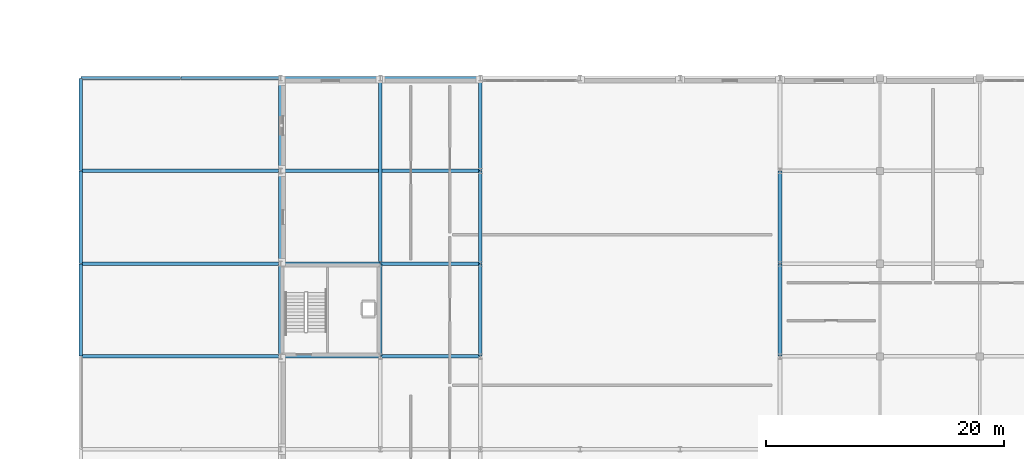
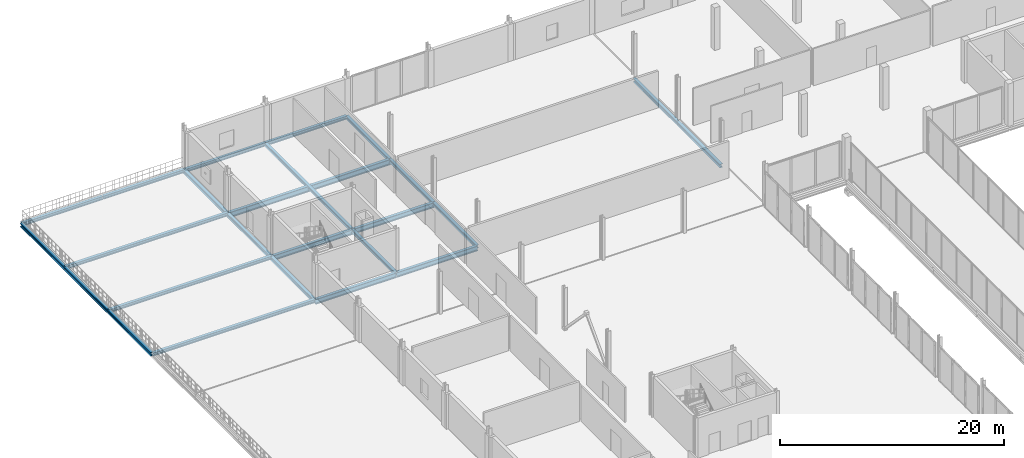
# One storey, part 37 of 98: 25 beams.
"""IFC4 building model written with IfcOpenShell, lengths in metres."""

import ifcopenshell
import ifcopenshell.guid

model = None  # the IFC model being written
_history = None  # IfcOwnerHistory: only IFC2X3 demands one
_inside = {}  # id of a spatial element -> (the spatial element, [elements in it])
_under = {}  # id of a project, library or spatial element -> (it, [spatial elements below it])
_declared = {}  # id of a project -> (the project, [libraries it declares])
_typed = {}  # id of a type object -> (the type object, [elements of that type])
_made_of = {}  # id of a material, layer set ... -> (it, [elements and type objects made of it])


def new_model(schema):
    """Start an empty IFC model of exactly this schema.

    Asked for "IFC4X3", IfcOpenShell would pick the latest addendum, in which some entities
    have other attributes; the version numbers below select the first issue.
    IFC2X3 requires an IfcOwnerHistory on every rooted entity: one is made here for all.
    """
    global model, _history
    if schema == "IFC4X3":
        model = ifcopenshell.file(schema_version=(4, 3, 0, 0))
    else:
        model = ifcopenshell.file(schema=schema)
    _inside.clear()
    _under.clear()
    _declared.clear()
    _typed.clear()
    _made_of.clear()
    _history = None
    if model.schema == "IFC2X3":
        org = make("IfcOrganization", Name="unknown")
        user = make(
            "IfcPersonAndOrganization",
            ThePerson=make("IfcPerson", FamilyName="unknown"),
            TheOrganization=org,
        )
        app = make(
            "IfcApplication",
            ApplicationDeveloper=org,
            Version="unknown",
            ApplicationFullName="unknown",
            ApplicationIdentifier="unknown",
        )
        _history = make(
            "IfcOwnerHistory",
            OwningUser=user,
            OwningApplication=app,
            ChangeAction="ADDED",
            CreationDate=0,
        )
    return model


def make(cls, **values):
    """One entity of the class cls with the attributes given. An attribute that is None is left unset."""
    return model.create_entity(
        cls, **{name: value for name, value in values.items() if value is not None}
    )


def rooted(cls, **values):
    """An entity with a GlobalId (a new one), such as an element, a storey or a relation."""
    return make(cls, GlobalId=ifcopenshell.guid.new(), OwnerHistory=_history, **values)


def si_unit(unit_type, name, prefix=None):
    """IfcSIUnit, for example si_unit("LENGTHUNIT", "METRE", prefix="MILLI")."""
    return make("IfcSIUnit", UnitType=unit_type, Prefix=prefix, Name=name)


def assignment(units):
    """IfcUnitAssignment: the units of a project."""
    return None if units is None else make("IfcUnitAssignment", Units=units)


def point(xyz):
    """IfcCartesianPoint."""
    return None if xyz is None else make("IfcCartesianPoint", Coordinates=xyz)


def direction(xyz):
    """IfcDirection."""
    return None if xyz is None else make("IfcDirection", DirectionRatios=xyz)


def frame(location, z_axis=None, x_axis=None):
    """IfcAxis2Placement3D, a coordinate frame: its origin and axes. An axis left out is left unset."""
    return make(
        "IfcAxis2Placement3D",
        Location=point(location),
        Axis=direction(z_axis),
        RefDirection=direction(x_axis),
    )


def frame_2d(location, x_axis=None):
    """IfcAxis2Placement2D, a coordinate frame in the plane: its origin and x axis."""
    return make(
        "IfcAxis2Placement2D", Location=point(location), RefDirection=direction(x_axis)
    )


def origin():
    """The frame at (0, 0, 0) with its axes left unset."""
    return frame((0.0, 0.0, 0.0))


def origin_2d():
    """The frame at (0, 0) in the plane with its x axis left unset."""
    return frame_2d((0.0, 0.0))


def place(relative_to, where):
    """IfcLocalPlacement: puts the frame where relative to a parent placement (None: the world)."""
    return make(
        "IfcLocalPlacement", PlacementRelTo=relative_to, RelativePlacement=where
    )


def context(
    kind, dimensions, precision=None, world=None, true_north=None, identifier=None
):
    """IfcGeometricRepresentationContext, for example the 3D "Model" context."""
    return make(
        "IfcGeometricRepresentationContext",
        ContextIdentifier=identifier,
        ContextType=kind,
        CoordinateSpaceDimension=dimensions,
        Precision=precision,
        WorldCoordinateSystem=world,
        TrueNorth=true_north,
    )


def subcontext(parent, identifier, kind, view, scale=None):
    """IfcGeometricRepresentationSubContext, for example "Body" below "Model"."""
    return make(
        "IfcGeometricRepresentationSubContext",
        ContextIdentifier=identifier,
        ContextType=kind,
        ParentContext=parent,
        TargetScale=scale,
        TargetView=view,
    )


def project(units=None, contexts=None):
    """IfcProject with its units and contexts."""
    return rooted(
        "IfcProject",
        Name="project",
        RepresentationContexts=contexts,
        UnitsInContext=assignment(units),
    )


def spatial(cls, under=None, at=None, **own):
    """A site, building, storey or space (cls), placed at a placement, below another one or the project."""
    s = rooted(cls, ObjectPlacement=at, **own)
    if under is not None:
        _under.setdefault(under.id(), (under, []))[1].append(s)
    return s


def profile(cls, at=None, kind="AREA", **sizes):
    """A parametric profile (cls). Its sizes go by their IFC names, for example OverallWidth=200.0."""
    return make(cls, ProfileType=kind, Position=at, **sizes)


def i_section(**sizes):
    """IfcIShapeProfileDef."""
    return profile("IfcIShapeProfileDef", **sizes)


def extrude(swept, where, along, depth):
    """IfcExtrudedAreaSolid: the profile swept, set in the frame where, extruded along a direction by depth."""
    return make(
        "IfcExtrudedAreaSolid",
        SweptArea=swept,
        Position=where,
        ExtrudedDirection=direction(along),
        Depth=depth,
    )


def shape(context_of_items, identifier, shape_type, items):
    """IfcShapeRepresentation: the items that make up one representation, for example the "Body"."""
    return make(
        "IfcShapeRepresentation",
        ContextOfItems=context_of_items,
        RepresentationIdentifier=identifier,
        RepresentationType=shape_type,
        Items=items,
    )


def material(Name=None, Category=None):
    """IfcMaterial."""
    return make("IfcMaterial", Name=Name, Category=Category)


def material_profile(
    of_material, cross_section, Name=None, Category=None, Priority=None
):
    """IfcMaterialProfile: a cross section and its material."""
    return make(
        "IfcMaterialProfile",
        Name=Name,
        Material=of_material,
        Profile=cross_section,
        Priority=Priority,
        Category=Category,
    )


def profile_set(profiles, Name=None, composite=None):
    """IfcMaterialProfileSet."""
    return make(
        "IfcMaterialProfileSet",
        Name=Name,
        MaterialProfiles=profiles,
        CompositeProfile=composite,
    )


def made_of(thing, what):
    """Note that an element or type object is made of a material, layer set ...; save() writes the relation."""
    if what is not None:
        _made_of.setdefault(what.id(), (what, []))[1].append(thing)
    return thing


def type_object(cls, material=None, **own):
    """A type object (cls), such as IfcWallType, which elements share."""
    return made_of(rooted(cls, **own), material)


def element(
    cls,
    number,
    at=None,
    inside=None,
    cuts=None,
    type_object=None,
    material=None,
    context=None,
    identifier="Body",
    shape_type=None,
    held_by="IfcProductDefinitionShape",
    body=None,
    shapes=None,
    **own,
):
    """One element of the class cls, such as IfcWall. Its Tag is "e" and its number.

    at: its placement. inside: the storey or other place that contains it. cuts: it is an
    opening in that element (IfcRelVoidsElement). A single representation is given by context,
    identifier, shape_type and body (its items); several are given by shapes. held_by: the class
    of the entity that holds the representations. save() writes the other relations.
    """
    e = rooted(cls, Tag="e%d" % number, ObjectPlacement=at, **own)
    if body is not None:
        shapes = [shape(context, identifier, shape_type, body)]
    if shapes is not None:
        e.Representation = make(held_by, Representations=shapes)
    if inside is not None:
        _inside.setdefault(inside.id(), (inside, []))[1].append(e)
    if cuts is not None:
        rooted(
            "IfcRelVoidsElement", RelatingBuildingElement=cuts, RelatedOpeningElement=e
        )
    if type_object is not None:
        _typed.setdefault(type_object.id(), (type_object, []))[1].append(e)
    return made_of(e, material)


def aggregate(whole, parts):
    """IfcRelAggregates: a whole, such as a stair, and the parts it consists of."""
    return rooted("IfcRelAggregates", RelatingObject=whole, RelatedObjects=parts)


def save(model, path):
    """Write the relations noted so far, then the file.

    IfcRelAggregates (storeys below a building ...), IfcRelContainedInSpatialStructure (elements
    in a storey), IfcRelDefinesByType, IfcRelAssociatesMaterial and IfcRelDeclares: one each for
    every whole, place, type object, material and project.
    """
    for whole, parts in _under.values():
        aggregate(whole, parts)
    for where, things in _inside.values():
        rooted(
            "IfcRelContainedInSpatialStructure",
            RelatedElements=things,
            RelatingStructure=where,
        )
    for kind, things in _typed.values():
        rooted("IfcRelDefinesByType", RelatedObjects=things, RelatingType=kind)
    for what, things in _made_of.values():
        rooted("IfcRelAssociatesMaterial", RelatedObjects=things, RelatingMaterial=what)
    for by, libraries in _declared.values():
        rooted("IfcRelDeclares", RelatingContext=by, RelatedDefinitions=libraries)
    model.write(path)


model = new_model("IFC4")

# Units and contexts
model_context = context("Model", 3, precision=1e-05, world=origin(), true_north=direction((0.0, 1.0)))
body_context = subcontext(model_context, "Body", "Model", "MODEL_VIEW")
ifc_project = project(units=[si_unit("LENGTHUNIT", "METRE"), si_unit("AREAUNIT", "SQUARE_METRE"), si_unit("VOLUMEUNIT", "CUBIC_METRE"), si_unit("PLANEANGLEUNIT", "RADIAN"), si_unit("MASSUNIT", "GRAM", prefix="KILO")], contexts=[model_context])

# Site, building, storey
site_placement = place(None, origin())
site = spatial("IfcSite", under=ifc_project, at=site_placement, CompositionType="ELEMENT")
building_placement = place(site_placement, origin())
building = spatial("IfcBuilding", under=site, at=building_placement, Name="Nabrawat Pavilion Hospital", CompositionType="ELEMENT")
storey_placement = place(building_placement, frame((0.0, 0.0, 10.199951171875)))
storey = spatial("IfcBuildingStorey", under=building, at=storey_placement, Name="L02", CompositionType="ELEMENT", Elevation=10.199951171875)

# Beams
ifc_material = material(Name="Steel S355", Category="steel")
ifc_material_profile_1 = material_profile(ifc_material, i_section(OverallWidth=0.300048828125, OverallDepth=0.389892578125, WebThickness=0.010986328125, FlangeThickness=0.01904296875, FilletRadius=0.027099609375, at=origin_2d()), Name="HEA 400")
ifc_profile_set_1 = profile_set([ifc_material_profile_1], Name="Steel S355")
beam_type_1 = type_object("IfcBeamType", Name="Perimeter Moment Spandrel Beam HEA 400", PredefinedType="SPANDREL", material=ifc_profile_set_1)
beam_1_placement = place(storey_placement, frame((0.0, 93.6201171875, -0.425048828125), z_axis=(0.0, 1.0, 0.0), x_axis=(-1.0, 0.0, 0.0)))
element("IfcBeam", 1, at=beam_1_placement, inside=storey, type_object=beam_type_1, Name="L02 Primary Y Beam 1184", PredefinedType="SPANDREL", context=body_context, shape_type="SweptSolid", body=[
    extrude(i_section(OverallWidth=0.300048828125, OverallDepth=0.389892578125, WebThickness=0.010986328125, FlangeThickness=0.01904296875, FilletRadius=0.027099609375, at=origin_2d()), origin(), (0.0, 0.0, 1.0), 7.759765625),
])
for number, where, z_axis, x_axis, name in (
    (2, (0.0, 101.419921875, -0.425048828125), (0.0, 1.0, 0.0), (-1.0, 0.0, 0.0), "L02 Primary Y Beam 1185"),
    (3, (0.0, 109.219970703125, -0.425048828125), (0.0, 1.0, 0.0), (-1.0, 0.0, 0.0), "L02 Primary Y Beam 1186"),
):
    element("IfcBeam", number, at=place(storey_placement, frame(where, z_axis=z_axis, x_axis=x_axis)), inside=storey, type_object=beam_type_1, Name=name, PredefinedType="SPANDREL", context=body_context, shape_type="SweptSolid", body=[
        extrude(i_section(OverallWidth=0.300048828125, OverallDepth=0.389892578125, WebThickness=0.010986328125, FlangeThickness=0.01904296875, FilletRadius=0.027099609375, at=origin_2d()), origin(), (0.0, 0.0, 1.0), 7.760009765625),
    ])
beam_2_placement = place(storey_placement, frame((16.800048828125, 93.6201171875, -0.46484375), z_axis=(0.0, 1.0, 0.0), x_axis=(-1.0, 0.0, 0.0)))
element("IfcBeam", 4, at=beam_2_placement, inside=storey, type_object=beam_type_1, Name="L02 Primary Y Beam 1199", PredefinedType="SPANDREL", context=body_context, shape_type="SweptSolid", body=[
    extrude(i_section(OverallWidth=0.300048828125, OverallDepth=0.389892578125, WebThickness=0.010986328125, FlangeThickness=0.01904296875, FilletRadius=0.027099609375, at=origin_2d()), origin(), (0.0, 0.0, 1.0), 7.759765625),
])
for number, where, z_axis, x_axis, name in (
    (5, (16.800048828125, 101.419921875, -0.46484375), (0.0, 1.0, 0.0), (-1.0, 0.0, 0.0), "L02 Primary Y Beam 1200"),
    (6, (16.800048828125, 109.219970703125, -0.46484375), (0.0, 1.0, 0.0), (-1.0, 0.0, 0.0), "L02 Primary Y Beam 1201"),
):
    element("IfcBeam", number, at=place(storey_placement, frame(where, z_axis=z_axis, x_axis=x_axis)), inside=storey, type_object=beam_type_1, Name=name, PredefinedType="SPANDREL", context=body_context, shape_type="SweptSolid", body=[
        extrude(i_section(OverallWidth=0.300048828125, OverallDepth=0.389892578125, WebThickness=0.010986328125, FlangeThickness=0.01904296875, FilletRadius=0.027099609375, at=origin_2d()), origin(), (0.0, 0.0, 1.0), 7.760009765625),
    ])
beam_3_placement = place(storey_placement, frame((58.800048828125, 93.6201171875, -0.46484375), z_axis=(0.0, 1.0, 0.0), x_axis=(-1.0, 0.0, 0.0)))
element("IfcBeam", 7, at=beam_3_placement, inside=storey, type_object=beam_type_1, Name="L02 Primary Y Beam 1232", PredefinedType="SPANDREL", context=body_context, shape_type="SweptSolid", body=[
    extrude(i_section(OverallWidth=0.300048828125, OverallDepth=0.389892578125, WebThickness=0.010986328125, FlangeThickness=0.01904296875, FilletRadius=0.027099609375, at=origin_2d()), origin(), (0.0, 0.0, 1.0), 7.759765625),
])
beam_4_placement = place(storey_placement, frame((58.800048828125, 101.419921875, -0.46484375), z_axis=(0.0, 1.0, 0.0), x_axis=(-1.0, 0.0, 0.0)))
element("IfcBeam", 8, at=beam_4_placement, inside=storey, type_object=beam_type_1, Name="L02 Primary Y Beam 1233", PredefinedType="SPANDREL", context=body_context, shape_type="SweptSolid", body=[
    extrude(i_section(OverallWidth=0.300048828125, OverallDepth=0.389892578125, WebThickness=0.010986328125, FlangeThickness=0.01904296875, FilletRadius=0.027099609375, at=origin_2d()), origin(), (0.0, 0.0, 1.0), 7.760009765625),
])
ifc_material_profile_2 = material_profile(ifc_material, i_section(OverallWidth=0.300048828125, OverallDepth=0.5400390625, WebThickness=0.012451171875, FlangeThickness=0.02392578125, FilletRadius=0.027099609375, at=origin_2d()), Name="HEA 550")
ifc_profile_set_2 = profile_set([ifc_material_profile_2], Name="Steel S355")
beam_type_2 = type_object("IfcBeamType", Name="Primary Clinical Girder HEA 550", PredefinedType="USERDEFINED", material=ifc_profile_set_2)
beam_5_placement = place(storey_placement, frame((16.820068359375, 93.60009765625, -0.5400390625), z_axis=(1.0, 0.0, 0.0), x_axis=(0.0, 1.0, 0.0)))
element("IfcBeam", 9, at=beam_5_placement, inside=storey, type_object=beam_type_2, Name="L02 Primary X Girder 1101", ObjectType="GIRDER", PredefinedType="USERDEFINED", context=body_context, shape_type="SweptSolid", body=[
    extrude(i_section(OverallWidth=0.300048828125, OverallDepth=0.5400390625, WebThickness=0.012451171875, FlangeThickness=0.02392578125, FilletRadius=0.027099609375, at=origin_2d()), origin(), (0.0, 0.0, 1.0), 8.35986328125),
])
beam_6_placement = place(storey_placement, frame((25.219970703125, 93.60009765625, -0.5400390625), z_axis=(1.0, 0.0, 0.0), x_axis=(0.0, 1.0, 0.0)))
element("IfcBeam", 10, at=beam_6_placement, inside=storey, type_object=beam_type_2, Name="L02 Primary X Girder 1102", ObjectType="GIRDER", PredefinedType="USERDEFINED", context=body_context, shape_type="SweptSolid", body=[
    extrude(i_section(OverallWidth=0.300048828125, OverallDepth=0.5400390625, WebThickness=0.012451171875, FlangeThickness=0.02392578125, FilletRadius=0.027099609375, at=origin_2d()), origin(), (0.0, 0.0, 1.0), 8.360107421875),
])
beam_7_placement = place(storey_placement, frame((16.820068359375, 101.39990234375, -0.5400390625), z_axis=(1.0, 0.0, 0.0), x_axis=(0.0, 1.0, 0.0)))
element("IfcBeam", 11, at=beam_7_placement, inside=storey, type_object=beam_type_2, Name="L02 Primary X Girder 1117", ObjectType="GIRDER", PredefinedType="USERDEFINED", context=body_context, shape_type="SweptSolid", body=[
    extrude(i_section(OverallWidth=0.300048828125, OverallDepth=0.5400390625, WebThickness=0.012451171875, FlangeThickness=0.02392578125, FilletRadius=0.027099609375, at=origin_2d()), origin(), (0.0, 0.0, 1.0), 8.35986328125),
])
beam_8_placement = place(storey_placement, frame((25.219970703125, 101.39990234375, -0.5400390625), z_axis=(1.0, 0.0, 0.0), x_axis=(0.0, 1.0, 0.0)))
element("IfcBeam", 12, at=beam_8_placement, inside=storey, type_object=beam_type_2, Name="L02 Primary X Girder 1118", ObjectType="GIRDER", PredefinedType="USERDEFINED", context=body_context, shape_type="SweptSolid", body=[
    extrude(i_section(OverallWidth=0.300048828125, OverallDepth=0.5400390625, WebThickness=0.012451171875, FlangeThickness=0.02392578125, FilletRadius=0.027099609375, at=origin_2d()), origin(), (0.0, 0.0, 1.0), 8.360107421875),
])
ifc_material_profile_3 = material_profile(ifc_material, i_section(OverallWidth=0.300048828125, OverallDepth=0.60009765625, WebThickness=0.015380859375, FlangeThickness=0.030029296875, FilletRadius=0.027099609375, at=origin_2d()), Name="HEB 600")
ifc_profile_set_3 = profile_set([ifc_material_profile_3], Name="Steel S355")
beam_type_3 = type_object("IfcBeamType", Name="Primary Long-Span Girder HEB 600", PredefinedType="USERDEFINED", material=ifc_profile_set_3)
beam_9_placement = place(storey_placement, frame((16.820068359375, 109.199951171875, -0.570068359375), z_axis=(1.0, 0.0, 0.0), x_axis=(0.0, 1.0, 0.0)))
element("IfcBeam", 13, at=beam_9_placement, inside=storey, type_object=beam_type_3, Name="L02 Primary X Girder 1130", ObjectType="GIRDER", PredefinedType="USERDEFINED", context=body_context, shape_type="SweptSolid", body=[
    extrude(i_section(OverallWidth=0.300048828125, OverallDepth=0.60009765625, WebThickness=0.015380859375, FlangeThickness=0.030029296875, FilletRadius=0.027099609375, at=origin_2d()), origin(), (0.0, 0.0, 1.0), 16.760009765625),
])
ifc_material_profile_4 = material_profile(ifc_material, i_section(OverallWidth=0.300048828125, OverallDepth=0.360107421875, WebThickness=0.012451171875, FlangeThickness=0.0224609375, FilletRadius=0.027099609375, at=origin_2d()), Name="HEB 360")
ifc_profile_set_4 = profile_set([ifc_material_profile_4], Name="Steel S355")
beam_type_4 = type_object("IfcBeamType", Name="Surgical Perimeter Spandrel HEB 360", PredefinedType="SPANDREL", material=ifc_profile_set_4)
for number, where, z_axis, x_axis, name in (
    (14, (0.02001953125, 93.60009765625, -0.409912109375), (1.0, 0.0, 0.0), (0.0, 1.0, 0.0), "L02 Primary X Girder 1100"),
    (15, (0.02001953125, 101.39990234375, -0.409912109375), (1.0, 0.0, 0.0), (0.0, 1.0, 0.0), "L02 Primary X Girder 1116"),
    (16, (0.02001953125, 109.199951171875, -0.409912109375), (1.0, 0.0, 0.0), (0.0, 1.0, 0.0), "L02 Primary X Girder 1129"),
):
    element("IfcBeam", number, at=place(storey_placement, frame(where, z_axis=z_axis, x_axis=x_axis)), inside=storey, type_object=beam_type_4, Name=name, PredefinedType="SPANDREL", context=body_context, shape_type="SweptSolid", body=[
        extrude(i_section(OverallWidth=0.300048828125, OverallDepth=0.360107421875, WebThickness=0.012451171875, FlangeThickness=0.0224609375, FilletRadius=0.027099609375, at=origin_2d()), origin(), (0.0, 0.0, 1.0), 16.760009765625),
    ])
beam_10_placement = place(storey_placement, frame((0.02001953125, 117.0, -0.409912109375), z_axis=(1.0, 0.0, 0.0), x_axis=(0.0, 1.0, 0.0)))
element("IfcBeam", 17, at=beam_10_placement, inside=storey, type_object=beam_type_4, Name="L02 Primary X Girder 1141", PredefinedType="SPANDREL", context=body_context, shape_type="SweptSolid", body=[
    extrude(i_section(OverallWidth=0.300048828125, OverallDepth=0.360107421875, WebThickness=0.012451171875, FlangeThickness=0.0224609375, FilletRadius=0.027099609375, at=origin_2d()), origin(), (0.0, 0.0, 1.0), 8.35986328125),
])
beam_11_placement = place(storey_placement, frame((8.419921875, 117.0, -0.409912109375), z_axis=(1.0, 0.0, 0.0), x_axis=(0.0, 1.0, 0.0)))
element("IfcBeam", 18, at=beam_11_placement, inside=storey, type_object=beam_type_4, Name="L02 Primary X Girder 1142", PredefinedType="SPANDREL", context=body_context, shape_type="SweptSolid", body=[
    extrude(i_section(OverallWidth=0.300048828125, OverallDepth=0.360107421875, WebThickness=0.012451171875, FlangeThickness=0.0224609375, FilletRadius=0.027099609375, at=origin_2d()), origin(), (0.0, 0.0, 1.0), 8.360107421875),
])
beam_12_placement = place(storey_placement, frame((16.820068359375, 117.0, -0.449951171875), z_axis=(1.0, 0.0, 0.0), x_axis=(0.0, 1.0, 0.0)))
element("IfcBeam", 19, at=beam_12_placement, inside=storey, type_object=beam_type_4, Name="L02 Primary X Girder 1143", PredefinedType="SPANDREL", context=body_context, shape_type="SweptSolid", body=[
    extrude(i_section(OverallWidth=0.300048828125, OverallDepth=0.360107421875, WebThickness=0.012451171875, FlangeThickness=0.0224609375, FilletRadius=0.027099609375, at=origin_2d()), origin(), (0.0, 0.0, 1.0), 8.35986328125),
])
beam_13_placement = place(storey_placement, frame((25.219970703125, 117.0, -0.449951171875), z_axis=(1.0, 0.0, 0.0), x_axis=(0.0, 1.0, 0.0)))
element("IfcBeam", 20, at=beam_13_placement, inside=storey, type_object=beam_type_4, Name="L02 Primary X Girder 1144", PredefinedType="SPANDREL", context=body_context, shape_type="SweptSolid", body=[
    extrude(i_section(OverallWidth=0.300048828125, OverallDepth=0.360107421875, WebThickness=0.012451171875, FlangeThickness=0.0224609375, FilletRadius=0.027099609375, at=origin_2d()), origin(), (0.0, 0.0, 1.0), 8.360107421875),
])
ifc_material_profile_5 = material_profile(ifc_material, i_section(OverallWidth=0.300048828125, OverallDepth=0.35009765625, WebThickness=0.009521484375, FlangeThickness=0.017578125, FilletRadius=0.027099609375, at=origin_2d()), Name="HEA 360")
ifc_profile_set_5 = profile_set([ifc_material_profile_5], Name="Steel S355")
beam_type_5 = type_object("IfcBeamType", Name="Surgical Stiffened Beam HEA 360", PredefinedType="BEAM", material=ifc_profile_set_5)
beam_14_placement = place(storey_placement, frame((25.199951171875, 93.6201171875, -0.445068359375), z_axis=(0.0, 1.0, 0.0), x_axis=(-1.0, 0.0, 0.0)))
element("IfcBeam", 21, at=beam_14_placement, inside=storey, type_object=beam_type_5, Name="L02 Primary Y Beam 1206", PredefinedType="BEAM", context=body_context, shape_type="SweptSolid", body=[
    extrude(i_section(OverallWidth=0.300048828125, OverallDepth=0.35009765625, WebThickness=0.009521484375, FlangeThickness=0.017578125, FilletRadius=0.027099609375, at=origin_2d()), origin(), (0.0, 0.0, 1.0), 7.759765625),
])
beam_15_placement = place(storey_placement, frame((25.199951171875, 101.419921875, -0.445068359375), z_axis=(0.0, 1.0, 0.0), x_axis=(-1.0, 0.0, 0.0)))
element("IfcBeam", 22, at=beam_15_placement, inside=storey, type_object=beam_type_5, Name="L02 Primary Y Beam 1207", PredefinedType="BEAM", context=body_context, shape_type="SweptSolid", body=[
    extrude(i_section(OverallWidth=0.300048828125, OverallDepth=0.35009765625, WebThickness=0.009521484375, FlangeThickness=0.017578125, FilletRadius=0.027099609375, at=origin_2d()), origin(), (0.0, 0.0, 1.0), 15.56005859375),
])
beam_16_placement = place(storey_placement, frame((33.60009765625, 93.6201171875, -0.445068359375), z_axis=(0.0, 1.0, 0.0), x_axis=(-1.0, 0.0, 0.0)))
element("IfcBeam", 23, at=beam_16_placement, inside=storey, type_object=beam_type_5, Name="L02 Primary Y Beam 1220", PredefinedType="BEAM", context=body_context, shape_type="SweptSolid", body=[
    extrude(i_section(OverallWidth=0.300048828125, OverallDepth=0.35009765625, WebThickness=0.009521484375, FlangeThickness=0.017578125, FilletRadius=0.027099609375, at=origin_2d()), origin(), (0.0, 0.0, 1.0), 7.759765625),
])
for number, where, z_axis, x_axis, name in (
    (24, (33.60009765625, 101.419921875, -0.445068359375), (0.0, 1.0, 0.0), (-1.0, 0.0, 0.0), "L02 Primary Y Beam 1221"),
    (25, (33.60009765625, 109.219970703125, -0.445068359375), (0.0, 1.0, 0.0), (-1.0, 0.0, 0.0), "L02 Primary Y Beam 1222"),
):
    element("IfcBeam", number, at=place(storey_placement, frame(where, z_axis=z_axis, x_axis=x_axis)), inside=storey, type_object=beam_type_5, Name=name, PredefinedType="BEAM", context=body_context, shape_type="SweptSolid", body=[
        extrude(i_section(OverallWidth=0.300048828125, OverallDepth=0.35009765625, WebThickness=0.009521484375, FlangeThickness=0.017578125, FilletRadius=0.027099609375, at=origin_2d()), origin(), (0.0, 0.0, 1.0), 7.760009765625),
    ])

save(model, "model.ifc")
